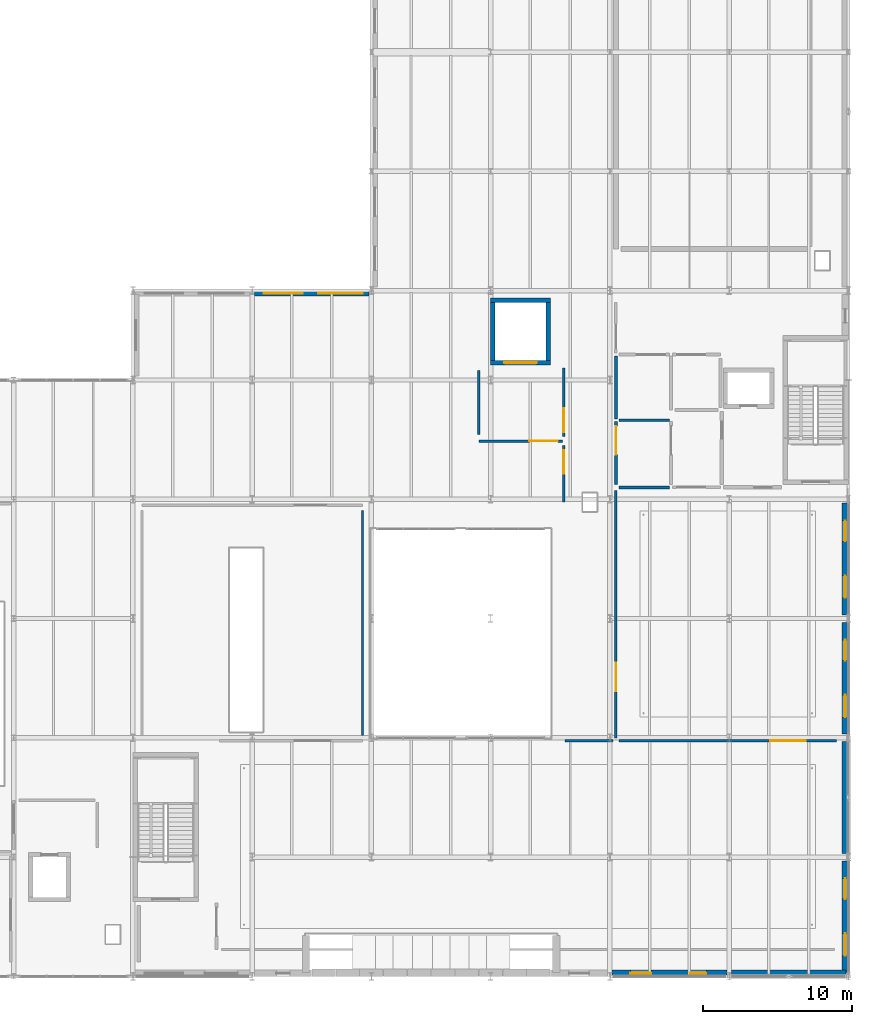
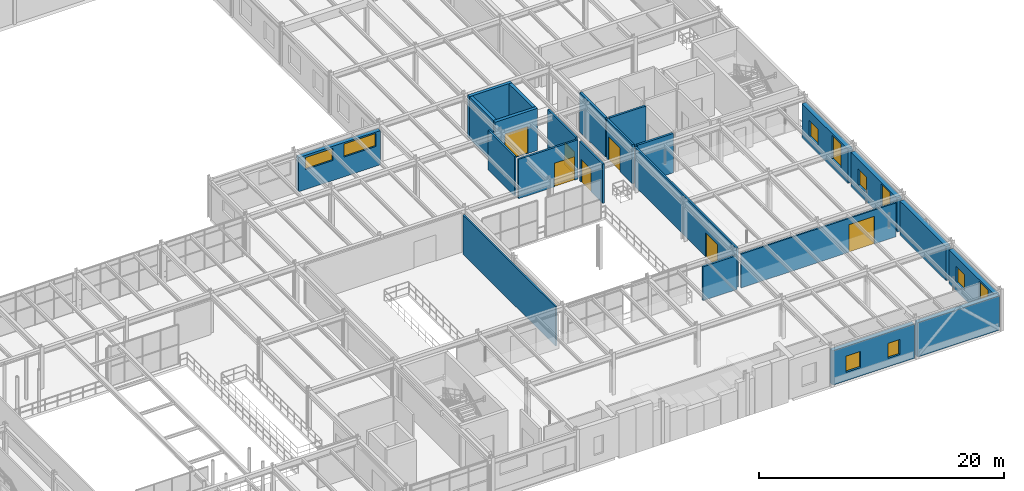
# One storey, part 89 of 122: 23 walls, 10 windows, 7 doors, 17 openings.
"""IFC4 building model written with IfcOpenShell, lengths in metres."""

from ifc_helpers import new_model, si_unit, direction, frame, frame_2d, origin, place, context, subcontext, project, spatial, rectangle, extrude, material, layer, layer_set, type_object, element, fill, save


model = new_model("IFC4")

# Units and contexts
model_context = context("Model", 3, precision=1e-05, world=origin(), true_north=direction((0.0, 1.0)))
body_context = subcontext(model_context, "Body", "Model", "MODEL_VIEW")
ifc_project = project(units=[si_unit("LENGTHUNIT", "METRE"), si_unit("AREAUNIT", "SQUARE_METRE"), si_unit("VOLUMEUNIT", "CUBIC_METRE"), si_unit("PLANEANGLEUNIT", "RADIAN"), si_unit("MASSUNIT", "GRAM", prefix="KILO")], contexts=[model_context])

# Site, building, storey
site_placement = place(None, origin())
site = spatial("IfcSite", under=ifc_project, at=site_placement, CompositionType="ELEMENT")
building_placement = place(site_placement, origin())
building = spatial("IfcBuilding", under=site, at=building_placement, Name="Sundkrona Museum", CompositionType="ELEMENT")
storey_placement = place(building_placement, frame((0.0, 0.0, 5.39990234375)))
storey = spatial("IfcBuildingStorey", under=building, at=storey_placement, Name="L01", CompositionType="ELEMENT", Elevation=5.39990234375)

# Wall, opening, door
ifc_material_1 = material(Name="Concrete C40/50", Category="concrete")
ifc_layer_1 = layer(ifc_material_1, 0.300048828125)
ifc_layer_set_1 = layer_set([ifc_layer_1], Name="Concrete C40/50")
wall_type_1 = type_object("IfcWallType", Name="W-CORE-300", PredefinedType="SHEAR", material=ifc_layer_set_1)
wall_1_placement = place(storey_placement, frame((144.0, 41.14990234375, 0.0), z_axis=(0.0, 0.0, 1.0), x_axis=(1.0, 0.0, 0.0)))
wall_1 = element("IfcWall", 1, at=wall_1_placement, inside=storey, type_object=wall_type_1, Name="L01 GL-1 Lift Shaft Wall South", PredefinedType="SHEAR", context=body_context, shape_type="SweptSolid", body=[
    extrude(rectangle(XDim=4.0, YDim=0.300048828125, at=frame_2d((2.0, 0.0))), origin(), (0.0, 0.0, 1.0), 4.2001953125),
])
opening_1_placement = place(wall_1_placement, frame((0.89990234375, 0.0, 0.0)))
opening_1 = element("IfcOpeningElement", 2, at=opening_1_placement, cuts=wall_1, Name="Opening LD-GL", PredefinedType="OPENING", context=body_context, shape_type="SweptSolid", body=[
    extrude(rectangle(XDim=2.199951171875, YDim=2.699951171875, at=frame_2d((1.10009765625, 1.35009765625))), frame((0.0, 0.159912109375, 0.0), z_axis=(0.0, -1.0, 0.0), x_axis=(1.0, 0.0, 0.0)), (0.0, 0.0, 1.0), 0.320068359375),
])
ifc_material_2 = material(Name="Heavy Stainless Steel Goods Lift Door", Category="steel")
door_type_1 = type_object("IfcDoorType", Name="LD-GL", OperationType="DOUBLE_DOOR_SLIDING", PredefinedType="DOOR", material=ifc_material_2)
door_1_placement = place(opening_1_placement, origin())
door_1 = element("IfcDoor", 3, at=door_1_placement, inside=storey, type_object=door_type_1, Name="L01 Goods Lift Landing Door DR-LIFT-GL-1-L01", OperationType="DOUBLE_DOOR_SLIDING", OverallHeight=2.699951171875, OverallWidth=2.199951171875, PredefinedType="DOOR", context=body_context, shape_type="SweptSolid", body=[
    extrude(rectangle(XDim=2.199951171875, YDim=2.699951171875, at=frame_2d((1.10009765625, 1.35009765625))), frame((0.0, 0.02490234375, 0.0), z_axis=(0.0, -1.0, 0.0), x_axis=(1.0, 0.0, 0.0)), (0.0, 0.0, 1.0), 0.050048828125),
])
fill(opening_1, door_1)

# Walls
wall_2_placement = place(storey_placement, frame((144.0, 45.35009765625, 0.0), z_axis=(0.0, 0.0, 1.0), x_axis=(1.0, 0.0, 0.0)))
element("IfcWall", 4, at=wall_2_placement, inside=storey, type_object=wall_type_1, Name="L01 GL-1 Lift Shaft Wall North", PredefinedType="SHEAR", context=body_context, shape_type="SweptSolid", body=[
    extrude(rectangle(XDim=4.0, YDim=0.300048828125, at=frame_2d((2.0, 0.0))), origin(), (0.0, 0.0, 1.0), 4.2001953125),
])
for number, where, z_axis, x_axis, name in (
    (5, (144.14990234375, 41.31005859375, 0.0), (0.0, 0.0, 1.0), (0.0, 1.0, 0.0), "L01 GL-1 Lift Shaft Wall West"),
    (6, (147.85009765625, 41.31005859375, 0.0), (0.0, 0.0, 1.0), (0.0, 1.0, 0.0), "L01 GL-1 Lift Shaft Wall East"),
):
    element("IfcWall", number, at=place(storey_placement, frame(where, z_axis=z_axis, x_axis=x_axis)), inside=storey, type_object=wall_type_1, Name=name, PredefinedType="SHEAR", context=body_context, shape_type="SweptSolid", body=[
        extrude(rectangle(XDim=3.8798828125, YDim=0.300048828125, at=frame_2d((1.93994140625, 0.0))), origin(), (0.0, 0.0, 1.0), 4.2001953125),
    ])

# Wall, openings, windows
ifc_material_3 = material(Name="Scanian Polychrome Clay Brickwork 420 mm", Category="masonry")
ifc_layer_2 = layer(ifc_material_3, 0.419921875)
ifc_layer_set_2 = layer_set([ifc_layer_2], Name="Scanian Polychrome Clay Brickwork 420 mm")
wall_type_2 = type_object("IfcWallType", Name="W-EX-420", PredefinedType="SOLIDWALL", material=ifc_layer_set_2)
wall_3_placement = place(storey_placement, frame((159.847900390625, 0.2099609375, 0.0), z_axis=(0.0, 0.0, 1.0), x_axis=(-1.0, 0.0, 0.0)))
wall_3 = element("IfcWall", 7, at=wall_3_placement, inside=storey, type_object=wall_type_2, Name="L01 Facade Wall 0014", PredefinedType="SOLIDWALL", context=body_context, shape_type="SweptSolid", body=[
    extrude(rectangle(XDim=7.69580078125, YDim=0.419921875, at=frame_2d((3.847900390625, 0.0))), origin(), (0.0, 0.0, 1.0), 3.4150390625),
])
opening_2_placement = place(wall_3_placement, frame((1.3740234375, 0.0, 0.85009765625)))
opening_2 = element("IfcOpeningElement", 8, at=opening_2_placement, cuts=wall_3, Name="Opening WN-LB-110x150", PredefinedType="OPENING", context=body_context, shape_type="SweptSolid", body=[
    extrude(rectangle(XDim=1.10009765625, YDim=1.5, at=frame_2d((0.550048828125, 0.75))), frame((0.0, 0.219970703125, 0.0), z_axis=(0.0, -1.0, 0.0), x_axis=(1.0, 0.0, 0.0)), (0.0, 0.0, 1.0), 0.43994140625),
])
opening_3_placement = place(wall_3_placement, frame((5.072021484375, 0.0, 0.85009765625)))
opening_3 = element("IfcOpeningElement", 9, at=opening_3_placement, cuts=wall_3, Name="Opening WN-LB-140x160", PredefinedType="OPENING", context=body_context, shape_type="SweptSolid", body=[
    extrude(rectangle(XDim=1.39990234375, YDim=1.60009765625, at=frame_2d((0.699951171875, 0.800048828125))), frame((0.0, 0.219970703125, 0.0), z_axis=(0.0, -1.0, 0.0), x_axis=(1.0, 0.0, 0.0)), (0.0, 0.0, 1.0), 0.43994140625),
])
ifc_material_4 = material(Name="Triple Low-E Argon Glazing in Bronze-Anodised Aluminium", Category="aluminium")
window_type_1 = type_object("IfcWindowType", Name="WN-LB-110x150", PartitioningType="SINGLE_PANEL", PredefinedType="WINDOW", material=ifc_material_4)
window_1_placement = place(opening_2_placement, origin())
window_1 = element("IfcWindow", 10, at=window_1_placement, inside=storey, type_object=window_type_1, Name="L01 Administration office window 1100x1500 WIN-L01-0016", OverallHeight=1.5, OverallWidth=1.10009765625, PartitioningType="SINGLE_PANEL", PredefinedType="WINDOW", context=body_context, shape_type="SweptSolid", body=[
    extrude(rectangle(XDim=1.10009765625, YDim=1.5, at=frame_2d((0.550048828125, 0.75))), frame((0.0, 0.030029296875, 0.0), z_axis=(0.0, -1.0, 0.0), x_axis=(1.0, 0.0, 0.0)), (0.0, 0.0, 1.0), 0.06005859375),
])
fill(opening_2, window_1)
window_type_2 = type_object("IfcWindowType", Name="WN-LB-140x160", PartitioningType="SINGLE_PANEL", PredefinedType="WINDOW", material=ifc_material_4)
window_2_placement = place(opening_3_placement, origin())
window_2 = element("IfcWindow", 11, at=window_2_placement, inside=storey, type_object=window_type_2, Name="L01 Curatorial study window 1400x1600 WIN-L01-0017", OverallHeight=1.60009765625, OverallWidth=1.39990234375, PartitioningType="SINGLE_PANEL", PredefinedType="WINDOW", context=body_context, shape_type="SweptSolid", body=[
    extrude(rectangle(XDim=1.39990234375, YDim=1.60009765625, at=frame_2d((0.699951171875, 0.800048828125))), frame((0.0, 0.030029296875, 0.0), z_axis=(0.0, -1.0, 0.0), x_axis=(1.0, 0.0, 0.0)), (0.0, 0.0, 1.0), 0.06005859375),
])
fill(opening_3, window_2)

# Wall
wall_4_placement = place(storey_placement, frame((167.847900390625, 0.2099609375, 0.0), z_axis=(0.0, 0.0, 1.0), x_axis=(-1.0, 0.0, 0.0)))
element("IfcWall", 12, at=wall_4_placement, inside=storey, type_object=wall_type_2, Name="L01 Facade Wall 0015", PredefinedType="SOLIDWALL", context=body_context, shape_type="SweptSolid", body=[
    extrude(rectangle(XDim=7.69580078125, YDim=0.419921875, at=frame_2d((3.847900390625, 0.0))), origin(), (0.0, 0.0, 1.0), 3.4150390625),
])

# Wall, openings, windows
wall_5_placement = place(storey_placement, frame((167.7900390625, 7.748046875, 0.0), z_axis=(0.0, 0.0, 1.0), x_axis=(0.0, -1.0, 0.0)))
wall_5 = element("IfcWall", 13, at=wall_5_placement, inside=storey, type_object=wall_type_2, Name="L01 Facade Wall 0017", PredefinedType="SOLIDWALL", context=body_context, shape_type="SweptSolid", body=[
    extrude(rectangle(XDim=7.49609375, YDim=0.419921875, at=frame_2d((3.748046875, 0.0))), origin(), (0.0, 0.0, 1.0), 3.4150390625),
])
opening_4_placement = place(wall_5_placement, frame((1.174072265625, 0.0, 0.85009765625)))
opening_4 = element("IfcOpeningElement", 14, at=opening_4_placement, cuts=wall_5, Name="Opening WN-LB-140x160", PredefinedType="OPENING", context=body_context, shape_type="SweptSolid", body=[
    extrude(rectangle(XDim=1.39990234375, YDim=1.60009765625, at=frame_2d((0.699951171875, 0.800048828125))), frame((0.0, 0.219970703125, 0.0), z_axis=(0.0, -1.0, 0.0), x_axis=(1.0, 0.0, 0.0)), (0.0, 0.0, 1.0), 0.43994140625),
])
opening_5_placement = place(wall_5_placement, frame((4.8720703125, 0.0, 0.85009765625)))
opening_5 = element("IfcOpeningElement", 15, at=opening_5_placement, cuts=wall_5, Name="Opening WN-GL-150x240", PredefinedType="OPENING", context=body_context, shape_type="SweptSolid", body=[
    extrude(rectangle(XDim=1.5, YDim=2.39990234375, at=frame_2d((0.75, 1.199951171875))), frame((0.0, 0.219970703125, 0.0), z_axis=(0.0, -1.0, 0.0), x_axis=(1.0, 0.0, 0.0)), (0.0, 0.0, 1.0), 0.43994140625),
])
window_type_3 = type_object("IfcWindowType", Name="WN-GL-150x240", PartitioningType="SINGLE_PANEL", PredefinedType="WINDOW", material=ifc_material_4)
window_3_placement = place(opening_5_placement, origin())
window_3 = element("IfcWindow", 16, at=window_3_placement, inside=storey, type_object=window_type_3, Name="L01 Finned wing deep-reveal gallery window 1500x2400 WIN-L01-0020", OverallHeight=2.39990234375, OverallWidth=1.5, PartitioningType="SINGLE_PANEL", PredefinedType="WINDOW", context=body_context, shape_type="SweptSolid", body=[
    extrude(rectangle(XDim=1.5, YDim=2.39990234375, at=frame_2d((0.75, 1.199951171875))), frame((0.0, 0.030029296875, 0.0), z_axis=(0.0, -1.0, 0.0), x_axis=(1.0, 0.0, 0.0)), (0.0, 0.0, 1.0), 0.06005859375),
])
fill(opening_5, window_3)
window_4_placement = place(opening_4_placement, origin())
window_4 = element("IfcWindow", 17, at=window_4_placement, inside=storey, type_object=window_type_2, Name="L01 Curatorial study window 1400x1600 WIN-L01-0019", OverallHeight=1.60009765625, OverallWidth=1.39990234375, PartitioningType="SINGLE_PANEL", PredefinedType="WINDOW", context=body_context, shape_type="SweptSolid", body=[
    extrude(rectangle(XDim=1.39990234375, YDim=1.60009765625, at=frame_2d((0.699951171875, 0.800048828125))), frame((0.0, 0.030029296875, 0.0), z_axis=(0.0, -1.0, 0.0), x_axis=(1.0, 0.0, 0.0)), (0.0, 0.0, 1.0), 0.06005859375),
])
fill(opening_4, window_4)

# Wall
wall_6_placement = place(storey_placement, frame((167.7900390625, 15.748046875, 0.0), z_axis=(0.0, 0.0, 1.0), x_axis=(0.0, -1.0, 0.0)))
element("IfcWall", 18, at=wall_6_placement, inside=storey, type_object=wall_type_2, Name="L01 Facade Wall 0018", PredefinedType="SOLIDWALL", context=body_context, shape_type="SweptSolid", body=[
    extrude(rectangle(XDim=7.49609375, YDim=0.419921875, at=frame_2d((3.748046875, 0.0))), origin(), (0.0, 0.0, 1.0), 3.4150390625),
])

# Wall, openings, windows
wall_7_placement = place(storey_placement, frame((167.7900390625, 23.748046875, 0.0), z_axis=(0.0, 0.0, 1.0), x_axis=(0.0, -1.0, 0.0)))
wall_7 = element("IfcWall", 19, at=wall_7_placement, inside=storey, type_object=wall_type_2, Name="L01 Facade Wall 0019", PredefinedType="SOLIDWALL", context=body_context, shape_type="SweptSolid", body=[
    extrude(rectangle(XDim=7.49609375, YDim=0.419921875, at=frame_2d((3.748046875, 0.0))), origin(), (0.0, 0.0, 1.0), 3.4150390625),
])
opening_6_placement = place(wall_7_placement, frame((1.174072265625, 0.0, 0.85009765625)))
opening_6 = element("IfcOpeningElement", 20, at=opening_6_placement, cuts=wall_7, Name="Opening WN-LB-140x160", PredefinedType="OPENING", context=body_context, shape_type="SweptSolid", body=[
    extrude(rectangle(XDim=1.39990234375, YDim=1.60009765625, at=frame_2d((0.699951171875, 0.800048828125))), frame((0.0, 0.219970703125, 0.0), z_axis=(0.0, -1.0, 0.0), x_axis=(1.0, 0.0, 0.0)), (0.0, 0.0, 1.0), 0.43994140625),
])
opening_7_placement = place(wall_7_placement, frame((4.8720703125, 0.0, 0.85009765625)))
opening_7 = element("IfcOpeningElement", 21, at=opening_7_placement, cuts=wall_7, Name="Opening WN-GL-150x240", PredefinedType="OPENING", context=body_context, shape_type="SweptSolid", body=[
    extrude(rectangle(XDim=1.5, YDim=2.39990234375, at=frame_2d((0.75, 1.199951171875))), frame((0.0, 0.219970703125, 0.0), z_axis=(0.0, -1.0, 0.0), x_axis=(1.0, 0.0, 0.0)), (0.0, 0.0, 1.0), 0.43994140625),
])
window_5_placement = place(opening_7_placement, origin())
window_5 = element("IfcWindow", 22, at=window_5_placement, inside=storey, type_object=window_type_3, Name="L01 Finned wing deep-reveal gallery window 1500x2400 WIN-L01-0022", OverallHeight=2.39990234375, OverallWidth=1.5, PartitioningType="SINGLE_PANEL", PredefinedType="WINDOW", context=body_context, shape_type="SweptSolid", body=[
    extrude(rectangle(XDim=1.5, YDim=2.39990234375, at=frame_2d((0.75, 1.199951171875))), frame((0.0, 0.030029296875, 0.0), z_axis=(0.0, -1.0, 0.0), x_axis=(1.0, 0.0, 0.0)), (0.0, 0.0, 1.0), 0.06005859375),
])
fill(opening_7, window_5)
window_6_placement = place(opening_6_placement, origin())
window_6 = element("IfcWindow", 23, at=window_6_placement, inside=storey, type_object=window_type_2, Name="L01 Curatorial study window 1400x1600 WIN-L01-0021", OverallHeight=1.60009765625, OverallWidth=1.39990234375, PartitioningType="SINGLE_PANEL", PredefinedType="WINDOW", context=body_context, shape_type="SweptSolid", body=[
    extrude(rectangle(XDim=1.39990234375, YDim=1.60009765625, at=frame_2d((0.699951171875, 0.800048828125))), frame((0.0, 0.030029296875, 0.0), z_axis=(0.0, -1.0, 0.0), x_axis=(1.0, 0.0, 0.0)), (0.0, 0.0, 1.0), 0.06005859375),
])
fill(opening_6, window_6)

wall_8_placement = place(storey_placement, frame((167.7900390625, 31.748046875, 0.0), z_axis=(0.0, 0.0, 1.0), x_axis=(0.0, -1.0, 0.0)))
wall_8 = element("IfcWall", 24, at=wall_8_placement, inside=storey, type_object=wall_type_2, Name="L01 Facade Wall 0020", PredefinedType="SOLIDWALL", context=body_context, shape_type="SweptSolid", body=[
    extrude(rectangle(XDim=7.49609375, YDim=0.419921875, at=frame_2d((3.748046875, 0.0))), origin(), (0.0, 0.0, 1.0), 3.4150390625),
])
opening_8_placement = place(wall_8_placement, frame((1.174072265625, 0.0, 0.85009765625)))
opening_8 = element("IfcOpeningElement", 25, at=opening_8_placement, cuts=wall_8, Name="Opening WN-LB-140x160", PredefinedType="OPENING", context=body_context, shape_type="SweptSolid", body=[
    extrude(rectangle(XDim=1.39990234375, YDim=1.60009765625, at=frame_2d((0.699951171875, 0.800048828125))), frame((0.0, 0.219970703125, 0.0), z_axis=(0.0, -1.0, 0.0), x_axis=(1.0, 0.0, 0.0)), (0.0, 0.0, 1.0), 0.43994140625),
])
opening_9_placement = place(wall_8_placement, frame((4.8720703125, 0.0, 0.85009765625)))
opening_9 = element("IfcOpeningElement", 26, at=opening_9_placement, cuts=wall_8, Name="Opening WN-GL-150x240", PredefinedType="OPENING", context=body_context, shape_type="SweptSolid", body=[
    extrude(rectangle(XDim=1.5, YDim=2.39990234375, at=frame_2d((0.75, 1.199951171875))), frame((0.0, 0.219970703125, 0.0), z_axis=(0.0, -1.0, 0.0), x_axis=(1.0, 0.0, 0.0)), (0.0, 0.0, 1.0), 0.43994140625),
])
window_7_placement = place(opening_9_placement, origin())
window_7 = element("IfcWindow", 27, at=window_7_placement, inside=storey, type_object=window_type_3, Name="L01 Finned wing deep-reveal gallery window 1500x2400 WIN-L01-0024", OverallHeight=2.39990234375, OverallWidth=1.5, PartitioningType="SINGLE_PANEL", PredefinedType="WINDOW", context=body_context, shape_type="SweptSolid", body=[
    extrude(rectangle(XDim=1.5, YDim=2.39990234375, at=frame_2d((0.75, 1.199951171875))), frame((0.0, 0.030029296875, 0.0), z_axis=(0.0, -1.0, 0.0), x_axis=(1.0, 0.0, 0.0)), (0.0, 0.0, 1.0), 0.06005859375),
])
fill(opening_9, window_7)
window_8_placement = place(opening_8_placement, origin())
window_8 = element("IfcWindow", 28, at=window_8_placement, inside=storey, type_object=window_type_2, Name="L01 Curatorial study window 1400x1600 WIN-L01-0023", OverallHeight=1.60009765625, OverallWidth=1.39990234375, PartitioningType="SINGLE_PANEL", PredefinedType="WINDOW", context=body_context, shape_type="SweptSolid", body=[
    extrude(rectangle(XDim=1.39990234375, YDim=1.60009765625, at=frame_2d((0.699951171875, 0.800048828125))), frame((0.0, 0.030029296875, 0.0), z_axis=(0.0, -1.0, 0.0), x_axis=(1.0, 0.0, 0.0)), (0.0, 0.0, 1.0), 0.06005859375),
])
fill(opening_8, window_8)

# Wall, opening, door
ifc_material_5 = material(Name="Acoustic Gypsum Partition Board 150 mm", Category="other")
ifc_layer_3 = layer(ifc_material_5, 0.14990234375)
ifc_layer_set_3 = layer_set([ifc_layer_3], Name="Acoustic Gypsum Partition Board 150 mm")
wall_type_3 = type_object("IfcWallType", Name="W-PT-150", PredefinedType="PARTITIONING", material=ifc_layer_set_3)
wall_9_placement = place(storey_placement, frame((152.60009765625, 15.800048828125, 0.0), z_axis=(0.0, 0.0, 1.0), x_axis=(1.0, 0.0, 0.0)))
wall_9 = element("IfcWall", 29, at=wall_9_placement, inside=storey, type_object=wall_type_3, Name="L01 Partition Mineralogy and Geology Cabinet / Amber and Fossil Mezzanine Gallery", PredefinedType="PARTITIONING", context=body_context, shape_type="SweptSolid", body=[
    extrude(rectangle(XDim=14.599853515625, YDim=0.14990234375, at=frame_2d((7.2998046875, 0.0))), origin(), (0.0, 0.0, 1.0), 3.380126953125),
])
opening_10_placement = place(wall_9_placement, frame((10.142333984375, 0.0, 0.0)))
opening_10 = element("IfcOpeningElement", 30, at=opening_10_placement, cuts=wall_9, Name="Opening D-GAL-240", PredefinedType="OPENING", context=body_context, shape_type="SweptSolid", body=[
    extrude(rectangle(XDim=2.39990234375, YDim=2.75, at=frame_2d((1.199951171875, 1.375))), frame((0.0, 0.0849609375, 0.0), z_axis=(0.0, -1.0, 0.0), x_axis=(1.0, 0.0, 0.0)), (0.0, 0.0, 1.0), 0.169921875),
])
ifc_material_6 = material(Name="European Oak and Bronze Portal", Category="other")
door_type_2 = type_object("IfcDoorType", Name="D-GAL-240", OperationType="DOUBLE_DOOR_DOUBLE_SWING", PredefinedType="DOOR", material=ifc_material_6)
door_2_placement = place(opening_10_placement, origin())
door_2 = element("IfcDoor", 31, at=door_2_placement, inside=storey, type_object=door_type_2, Name="L01 Interior Door DR-ADJ-L01-0105", OperationType="DOUBLE_DOOR_DOUBLE_SWING", OverallHeight=2.75, OverallWidth=2.39990234375, PredefinedType="DOOR", context=body_context, shape_type="SweptSolid", body=[
    extrude(rectangle(XDim=2.39990234375, YDim=2.75, at=frame_2d((1.199951171875, 1.375))), frame((0.0, 0.02490234375, 0.0), z_axis=(0.0, -1.0, 0.0), x_axis=(1.0, 0.0, 0.0)), (0.0, 0.0, 1.0), 0.050048828125),
])
fill(opening_10, door_2)

# Wall
wall_10_placement = place(storey_placement, frame((135.39990234375, 16.14990234375, 0.0), z_axis=(0.0, 0.0, 1.0), x_axis=(0.0, 1.0, 0.0)))
element("IfcWall", 32, at=wall_10_placement, inside=storey, type_object=wall_type_3, Name="L01 Paleobotany Cabinet Gallery Enclosure Wall E", PredefinedType="PARTITIONING", context=body_context, shape_type="SweptSolid", body=[
    extrude(rectangle(XDim=15.10009765625, YDim=0.14990234375, at=frame_2d((7.550048828125, 0.0))), origin(), (0.0, 0.0, 1.0), 3.920166015625),
])

# Wall, opening, door
ifc_material_7 = material(Name="Fire-rated Gypsum Partition Board 175 mm", Category="other")
ifc_layer_4 = layer(ifc_material_7, 0.175048828125)
ifc_layer_set_4 = layer_set([ifc_layer_4], Name="Fire-rated Gypsum Partition Board 175 mm")
wall_type_4 = type_object("IfcWallType", Name="W-PT-175", PredefinedType="PARTITIONING", material=ifc_layer_set_4)
wall_11_placement = place(storey_placement, frame((143.199951171875, 35.89990234375, 0.0), z_axis=(0.0, 0.0, 1.0), x_axis=(1.0, 0.0, 0.0)))
wall_11 = element("IfcWall", 33, at=wall_11_placement, inside=storey, type_object=wall_type_4, Name="L01 Partition Goods Lift Lobby / Atrium Rim Promenade", PredefinedType="PARTITIONING", context=body_context, shape_type="SweptSolid", body=[
    extrude(rectangle(XDim=5.60009765625, YDim=0.175048828125, at=frame_2d((2.800048828125, 0.0))), origin(), (0.0, 0.0, 1.0), 3.920166015625),
])
opening_11_placement = place(wall_11_placement, frame((3.39990234375, 0.0, 0.0)))
opening_11 = element("IfcOpeningElement", 34, at=opening_11_placement, cuts=wall_11, Name="Opening D-AUD-190", PredefinedType="OPENING", context=body_context, shape_type="SweptSolid", body=[
    extrude(rectangle(XDim=1.89990234375, YDim=2.35009765625, at=frame_2d((0.949951171875, 1.175048828125))), frame((0.0, 0.097412109375, 0.0), z_axis=(0.0, -1.0, 0.0), x_axis=(1.0, 0.0, 0.0)), (0.0, 0.0, 1.0), 0.195068359375),
])
ifc_material_8 = material(Name="Acoustic Oak Fire Door", Category="other")
door_type_3 = type_object("IfcDoorType", Name="D-AUD-190", OperationType="DOUBLE_DOOR_SINGLE_SWING", PredefinedType="DOOR", material=ifc_material_8)
door_3_placement = place(opening_11_placement, origin())
door_3 = element("IfcDoor", 35, at=door_3_placement, inside=storey, type_object=door_type_3, Name="L01 Interior Door DR-ADJ-L01-0074", OperationType="DOUBLE_DOOR_SINGLE_SWING", OverallHeight=2.35009765625, OverallWidth=1.89990234375, PredefinedType="DOOR", context=body_context, shape_type="SweptSolid", body=[
    extrude(rectangle(XDim=1.89990234375, YDim=2.35009765625, at=frame_2d((0.949951171875, 1.175048828125))), frame((0.0, 0.02490234375, 0.0), z_axis=(0.0, -1.0, 0.0), x_axis=(1.0, 0.0, 0.0)), (0.0, 0.0, 1.0), 0.050048828125),
])
fill(opening_11, door_3)

wall_12_placement = place(storey_placement, frame((148.89990234375, 36.199951171875, 0.0), z_axis=(0.0, 0.0, 1.0), x_axis=(0.0, 1.0, 0.0)))
wall_12 = element("IfcWall", 36, at=wall_12_placement, inside=storey, type_object=wall_type_4, Name="L01 Partition Goods Lift Lobby / East Hall Spine", PredefinedType="PARTITIONING", context=body_context, shape_type="SweptSolid", body=[
    extrude(rectangle(XDim=4.60009765625, YDim=0.175048828125, at=frame_2d((2.300048828125, 0.0))), origin(), (0.0, 0.0, 1.0), 3.920166015625),
])
opening_12_placement = place(wall_12_placement, frame((0.300048828125, 0.0, 0.0)))
opening_12 = element("IfcOpeningElement", 37, at=opening_12_placement, cuts=wall_12, Name="Opening D-CMP-160", PredefinedType="OPENING", context=body_context, shape_type="SweptSolid", body=[
    extrude(rectangle(XDim=1.60009765625, YDim=2.25, at=frame_2d((0.800048828125, 1.125))), frame((0.0, 0.097412109375, 0.0), z_axis=(0.0, -1.0, 0.0), x_axis=(1.0, 0.0, 0.0)), (0.0, 0.0, 1.0), 0.195068359375),
])
ifc_material_9 = material(Name="Glazed Steel Fire Screen Door", Category="steel")
door_type_4 = type_object("IfcDoorType", Name="D-CMP-160", OperationType="DOUBLE_DOOR_SINGLE_SWING", PredefinedType="DOOR", material=ifc_material_9)
door_4_placement = place(opening_12_placement, origin())
door_4 = element("IfcDoor", 38, at=door_4_placement, inside=storey, type_object=door_type_4, Name="L01 Interior Door DR-ADJ-L01-0075", OperationType="DOUBLE_DOOR_SINGLE_SWING", OverallHeight=2.25, OverallWidth=1.60009765625, PredefinedType="DOOR", context=body_context, shape_type="SweptSolid", body=[
    extrude(rectangle(XDim=1.60009765625, YDim=2.25, at=frame_2d((0.800048828125, 1.125))), frame((0.0, 0.02490234375, 0.0), z_axis=(0.0, -1.0, 0.0), x_axis=(1.0, 0.0, 0.0)), (0.0, 0.0, 1.0), 0.050048828125),
])
fill(opening_12, door_4)

wall_13_placement = place(storey_placement, frame((148.89990234375, 31.800048828125, 0.0), z_axis=(0.0, 0.0, 1.0), x_axis=(0.0, 1.0, 0.0)))
wall_13 = element("IfcWall", 39, at=wall_13_placement, inside=storey, type_object=wall_type_4, Name="L01 Partition Atrium Rim Promenade / East Hall Spine", PredefinedType="PARTITIONING", context=body_context, shape_type="SweptSolid", body=[
    extrude(rectangle(XDim=3.800048828125, YDim=0.175048828125, at=frame_2d((1.89990234375, 0.0))), origin(), (0.0, 0.0, 1.0), 3.920166015625),
])
opening_13_placement = place(wall_13_placement, frame((1.89990234375, 0.0, 0.0)))
opening_13 = element("IfcOpeningElement", 40, at=opening_13_placement, cuts=wall_13, Name="Opening D-CMP-160", PredefinedType="OPENING", context=body_context, shape_type="SweptSolid", body=[
    extrude(rectangle(XDim=1.60009765625, YDim=2.25, at=frame_2d((0.800048828125, 1.125))), frame((0.0, 0.097412109375, 0.0), z_axis=(0.0, -1.0, 0.0), x_axis=(1.0, 0.0, 0.0)), (0.0, 0.0, 1.0), 0.195068359375),
])
door_5_placement = place(opening_13_placement, origin())
door_5 = element("IfcDoor", 41, at=door_5_placement, inside=storey, type_object=door_type_4, Name="L01 Interior Door DR-ADJ-L01-0089", OperationType="DOUBLE_DOOR_SINGLE_SWING", OverallHeight=2.25, OverallWidth=1.60009765625, PredefinedType="DOOR", context=body_context, shape_type="SweptSolid", body=[
    extrude(rectangle(XDim=1.60009765625, YDim=2.25, at=frame_2d((0.800048828125, 1.125))), frame((0.0, 0.02490234375, 0.0), z_axis=(0.0, -1.0, 0.0), x_axis=(1.0, 0.0, 0.0)), (0.0, 0.0, 1.0), 0.050048828125),
])
fill(opening_13, door_5)

# Wall
wall_14_placement = place(storey_placement, frame((149.0, 15.800048828125, 0.0), z_axis=(0.0, 0.0, 1.0), x_axis=(1.0, 0.0, 0.0)))
element("IfcWall", 42, at=wall_14_placement, inside=storey, type_object=wall_type_4, Name="L01 Partition East Hall Spine / Mineralogy and Geology Cabinet", PredefinedType="PARTITIONING", context=body_context, shape_type="SweptSolid", body=[
    extrude(rectangle(XDim=3.199951171875, YDim=0.175048828125, at=frame_2d((1.60009765625, 0.0))), origin(), (0.0, 0.0, 1.0), 3.380126953125),
])

# Wall, opening, door
wall_15_placement = place(storey_placement, frame((152.39990234375, 16.0, 0.0), z_axis=(0.0, 0.0, 1.0), x_axis=(0.0, 1.0, 0.0)))
wall_15 = element("IfcWall", 43, at=wall_15_placement, inside=storey, type_object=wall_type_4, Name="L01 Partition East Hall Spine / Amber and Fossil Mezzanine Gallery", PredefinedType="PARTITIONING", context=body_context, shape_type="SweptSolid", body=[
    extrude(rectangle(XDim=16.60009765625, YDim=0.175048828125, at=frame_2d((8.300048828125, 0.0))), origin(), (0.0, 0.0, 1.0), 3.920166015625),
])
opening_14_placement = place(wall_15_placement, frame((3.1201171875, 0.0, 0.0)))
opening_14 = element("IfcOpeningElement", 44, at=opening_14_placement, cuts=wall_15, Name="Opening D-AUD-190", PredefinedType="OPENING", context=body_context, shape_type="SweptSolid", body=[
    extrude(rectangle(XDim=1.89990234375, YDim=2.35009765625, at=frame_2d((0.949951171875, 1.175048828125))), frame((0.0, 0.097412109375, 0.0), z_axis=(0.0, -1.0, 0.0), x_axis=(1.0, 0.0, 0.0)), (0.0, 0.0, 1.0), 0.195068359375),
])
door_6_placement = place(opening_14_placement, origin())
door_6 = element("IfcDoor", 45, at=door_6_placement, inside=storey, type_object=door_type_3, Name="L01 Interior Door DR-ADJ-L01-0092", OperationType="DOUBLE_DOOR_SINGLE_SWING", OverallHeight=2.35009765625, OverallWidth=1.89990234375, PredefinedType="DOOR", context=body_context, shape_type="SweptSolid", body=[
    extrude(rectangle(XDim=1.89990234375, YDim=2.35009765625, at=frame_2d((0.949951171875, 1.175048828125))), frame((0.0, 0.02490234375, 0.0), z_axis=(0.0, -1.0, 0.0), x_axis=(1.0, 0.0, 0.0)), (0.0, 0.0, 1.0), 0.050048828125),
])
fill(opening_14, door_6)

# Walls
wall_16_placement = place(storey_placement, frame((143.199951171875, 36.35009765625, 0.0), z_axis=(0.0, 0.0, 1.0), x_axis=(0.0, 1.0, 0.0)))
element("IfcWall", 46, at=wall_16_placement, inside=storey, type_object=wall_type_4, Name="L01 Goods Lift Lobby Enclosure Wall W", PredefinedType="PARTITIONING", context=body_context, shape_type="SweptSolid", body=[
    extrude(rectangle(XDim=4.2998046875, YDim=0.175048828125, at=frame_2d((2.14990234375, 0.0))), origin(), (0.0, 0.0, 1.0), 3.920166015625),
])
ifc_material_10 = material(Name="Moisture-resistant Tile Partition 200 mm", Category="other")
ifc_layer_5 = layer(ifc_material_10, 0.199951171875)
ifc_layer_set_5 = layer_set([ifc_layer_5], Name="Moisture-resistant Tile Partition 200 mm")
wall_type_5 = type_object("IfcWallType", Name="W-PT-200", PredefinedType="PARTITIONING", material=ifc_layer_set_5)
wall_17_placement = place(storey_placement, frame((152.60009765625, 37.300048828125, 0.0), z_axis=(0.0, 0.0, 1.0), x_axis=(1.0, 0.0, 0.0)))
element("IfcWall", 47, at=wall_17_placement, inside=storey, type_object=wall_type_5, Name="L01 Partition Male Toilet / Female Toilet", PredefinedType="PARTITIONING", context=body_context, shape_type="SweptSolid", body=[
    extrude(rectangle(XDim=3.39990234375, YDim=0.199951171875, at=frame_2d((1.699951171875, 0.0))), origin(), (0.0, 0.0, 1.0), 3.920166015625),
])

# Wall, opening, door
wall_18_placement = place(storey_placement, frame((152.39990234375, 33.0, 0.0), z_axis=(0.0, 0.0, 1.0), x_axis=(0.0, 1.0, 0.0)))
wall_18 = element("IfcWall", 48, at=wall_18_placement, inside=storey, type_object=wall_type_5, Name="L01 Partition Male Toilet / East Hall Spine", PredefinedType="PARTITIONING", context=body_context, shape_type="SweptSolid", body=[
    extrude(rectangle(XDim=4.199951171875, YDim=0.199951171875, at=frame_2d((2.10009765625, 0.0))), origin(), (0.0, 0.0, 1.0), 3.920166015625),
])
opening_15_placement = place(wall_18_placement, frame((2.0, 0.0, 0.0)))
opening_15 = element("IfcOpeningElement", 49, at=opening_15_placement, cuts=wall_18, Name="Opening D-AUD-190", PredefinedType="OPENING", context=body_context, shape_type="SweptSolid", body=[
    extrude(rectangle(XDim=1.89990234375, YDim=2.35009765625, at=frame_2d((0.949951171875, 1.175048828125))), frame((0.0, 0.10986328125, 0.0), z_axis=(0.0, -1.0, 0.0), x_axis=(1.0, 0.0, 0.0)), (0.0, 0.0, 1.0), 0.219970703125),
])
door_7_placement = place(opening_15_placement, origin())
door_7 = element("IfcDoor", 50, at=door_7_placement, inside=storey, type_object=door_type_3, Name="L01 Interior Door DR-ADJ-L01-0079", OperationType="DOUBLE_DOOR_SINGLE_SWING", OverallHeight=2.35009765625, OverallWidth=1.89990234375, PredefinedType="DOOR", context=body_context, shape_type="SweptSolid", body=[
    extrude(rectangle(XDim=1.89990234375, YDim=2.35009765625, at=frame_2d((0.949951171875, 1.175048828125))), frame((0.0, 0.02490234375, 0.0), z_axis=(0.0, -1.0, 0.0), x_axis=(1.0, 0.0, 0.0)), (0.0, 0.0, 1.0), 0.050048828125),
])
fill(opening_15, door_7)

# Walls
wall_19_placement = place(storey_placement, frame((152.60009765625, 32.800048828125, 0.0), z_axis=(0.0, 0.0, 1.0), x_axis=(1.0, 0.0, 0.0)))
element("IfcWall", 51, at=wall_19_placement, inside=storey, type_object=wall_type_5, Name="L01 Partition Male Toilet / Amber and Fossil Mezzanine Gallery", PredefinedType="PARTITIONING", context=body_context, shape_type="SweptSolid", body=[
    extrude(rectangle(XDim=3.39990234375, YDim=0.199951171875, at=frame_2d((1.699951171875, 0.0))), origin(), (0.0, 0.0, 1.0), 3.920166015625),
])
wall_20_placement = place(storey_placement, frame((152.39990234375, 37.39990234375, 0.0), z_axis=(0.0, 0.0, 1.0), x_axis=(0.0, 1.0, 0.0)))
element("IfcWall", 52, at=wall_20_placement, inside=storey, type_object=wall_type_5, Name="L01 Partition Female Toilet / East Hall Spine", PredefinedType="PARTITIONING", context=body_context, shape_type="SweptSolid", body=[
    extrude(rectangle(XDim=4.2001953125, YDim=0.199951171875, at=frame_2d((2.10009765625, 0.0))), origin(), (0.0, 0.0, 1.0), 3.920166015625),
])

# Wall, openings, windows
ifc_material_11 = material(Name="Vitrified Stoneware Mosaic Cladding 360 mm", Category="masonry")
ifc_layer_6 = layer(ifc_material_11, 0.360107421875)
ifc_layer_set_6 = layer_set([ifc_layer_6], Name="Vitrified Stoneware Mosaic Cladding 360 mm")
wall_type_6 = type_object("IfcWallType", Name="W-SP-360", PredefinedType="ELEMENTEDWALL", material=ifc_layer_set_6)
wall_21_placement = place(storey_placement, frame((128.152099609375, 45.820068359375, 0.0), z_axis=(0.0, 0.0, 1.0), x_axis=(1.0, 0.0, 0.0)))
wall_21 = element("IfcWall", 53, at=wall_21_placement, inside=storey, type_object=wall_type_6, Name="L01 Facade Wall 0023", PredefinedType="ELEMENTEDWALL", context=body_context, shape_type="SweptSolid", body=[
    extrude(rectangle(XDim=7.69580078125, YDim=0.360107421875, at=frame_2d((3.847900390625, 0.0))), origin(), (0.0, 0.0, 1.0), 3.4150390625),
])
opening_16_placement = place(wall_21_placement, frame((0.6240234375, 0.0, 2.0)))
opening_16 = element("IfcOpeningElement", 54, at=opening_16_placement, cuts=wall_21, Name="Opening WN-CL-260x120", PredefinedType="OPENING", context=body_context, shape_type="SweptSolid", body=[
    extrude(rectangle(XDim=2.60009765625, YDim=1.199951171875, at=frame_2d((1.300048828125, 0.60009765625))), frame((0.0, 0.18994140625, 0.0), z_axis=(0.0, -1.0, 0.0), x_axis=(1.0, 0.0, 0.0)), (0.0, 0.0, 1.0), 0.380126953125),
])
opening_17_placement = place(wall_21_placement, frame((4.27197265625, 0.0, 1.97509765625)))
opening_17 = element("IfcOpeningElement", 55, at=opening_17_placement, cuts=wall_21, Name="Opening WN-CL-300x130", PredefinedType="OPENING", context=body_context, shape_type="SweptSolid", body=[
    extrude(rectangle(XDim=3.0, YDim=1.300048828125, at=frame_2d((1.5, 0.64990234375))), frame((0.0, 0.18994140625, 0.0), z_axis=(0.0, -1.0, 0.0), x_axis=(1.0, 0.0, 0.0)), (0.0, 0.0, 1.0), 0.380126953125),
])
window_type_4 = type_object("IfcWindowType", Name="WN-CL-260x120", PartitioningType="DOUBLE_PANEL_HORIZONTAL", PredefinedType="WINDOW", material=ifc_material_4)
window_9_placement = place(opening_16_placement, origin())
window_9 = element("IfcWindow", 56, at=window_9_placement, inside=storey, type_object=window_type_4, Name="L01 High-level gallery clerestory ribbon window 2600x1200 WIN-L01-0028", OverallHeight=1.199951171875, OverallWidth=2.60009765625, PartitioningType="DOUBLE_PANEL_HORIZONTAL", PredefinedType="WINDOW", context=body_context, shape_type="SweptSolid", body=[
    extrude(rectangle(XDim=2.60009765625, YDim=1.199951171875, at=frame_2d((1.300048828125, 0.60009765625))), frame((0.0, 0.030029296875, 0.0), z_axis=(0.0, -1.0, 0.0), x_axis=(1.0, 0.0, 0.0)), (0.0, 0.0, 1.0), 0.06005859375),
])
fill(opening_16, window_9)
window_type_5 = type_object("IfcWindowType", Name="WN-CL-300x130", PartitioningType="TRIPLE_PANEL_HORIZONTAL", PredefinedType="WINDOW", material=ifc_material_4)
window_10_placement = place(opening_17_placement, origin())
window_10 = element("IfcWindow", 57, at=window_10_placement, inside=storey, type_object=window_type_5, Name="L01 Exhibition clerestory window 3000x1300 WIN-L01-0029", OverallHeight=1.300048828125, OverallWidth=3.0, PartitioningType="TRIPLE_PANEL_HORIZONTAL", PredefinedType="WINDOW", context=body_context, shape_type="SweptSolid", body=[
    extrude(rectangle(XDim=3.0, YDim=1.300048828125, at=frame_2d((1.5, 0.64990234375))), frame((0.0, 0.030029296875, 0.0), z_axis=(0.0, -1.0, 0.0), x_axis=(1.0, 0.0, 0.0)), (0.0, 0.0, 1.0), 0.06005859375),
])
fill(opening_17, window_10)

save(model, "model.ifc")
